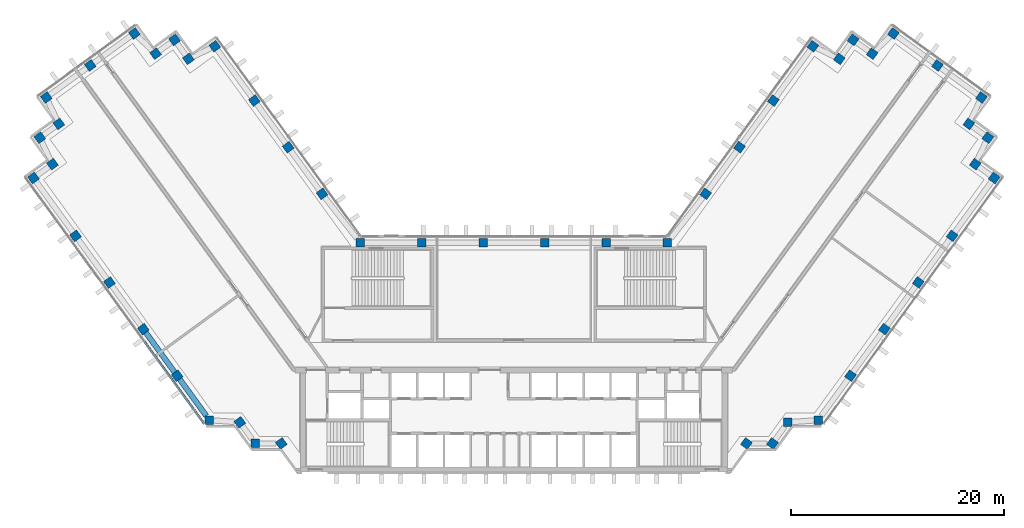
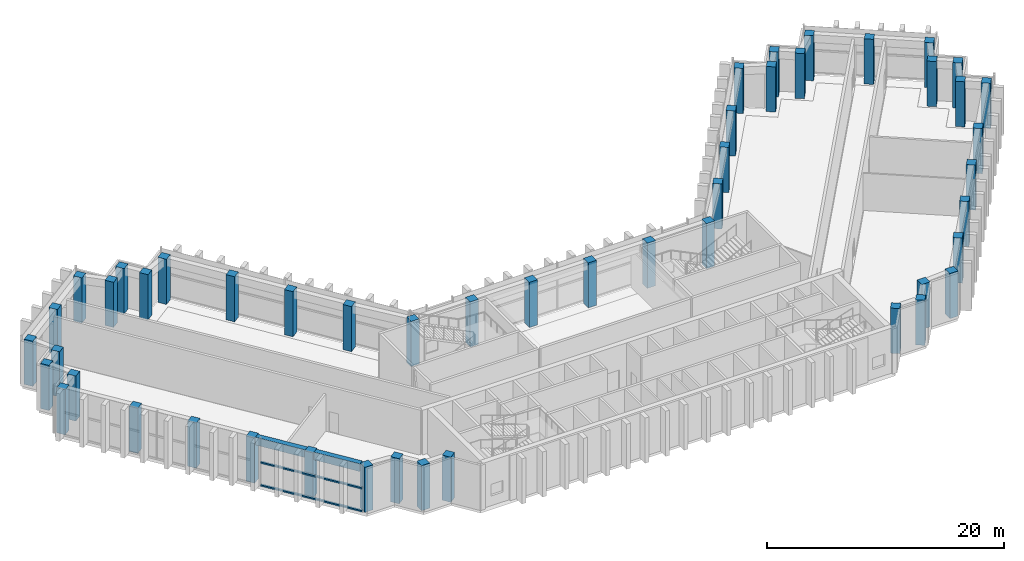
# One storey, part 1 of 14: 50 columns, 2 beams, 2 members, 1 element without a shape of its own.
"""IFC4 building model written with IfcOpenShell, lengths in metres."""

from ifc_helpers import new_model, si_unit, direction, frame, origin, origin_2d, place, context, subcontext, project, spatial, rectangle, extrude, material, material_profile, profile_set, type_object, element, aggregate, save


model = new_model("IFC4")

# Units and contexts
model_context = context("Model", 3, precision=1e-05, world=origin(), true_north=direction((0.0, 1.0)))
body_context = subcontext(model_context, "Body", "Model", "MODEL_VIEW")
ifc_project = project(units=[si_unit("LENGTHUNIT", "METRE"), si_unit("AREAUNIT", "SQUARE_METRE"), si_unit("VOLUMEUNIT", "CUBIC_METRE"), si_unit("PLANEANGLEUNIT", "RADIAN"), si_unit("MASSUNIT", "GRAM", prefix="KILO")], contexts=[model_context])

# Site, building, storey
site_placement = place(None, origin())
site = spatial("IfcSite", under=ifc_project, at=site_placement, CompositionType="ELEMENT")
building_placement = place(site_placement, origin())
building = spatial("IfcBuilding", under=site, at=building_placement, Name="Quipu Civic Tower", CompositionType="ELEMENT")
storey_placement = place(building_placement, frame((0.0, 0.0, 139.0)))
storey = spatial("IfcBuildingStorey", under=building, at=storey_placement, Name="L32", CompositionType="ELEMENT", Elevation=139.0)

# Columns
ifc_material_1 = material(Name="Concrete C60/75", Category="concrete")
ifc_material_profile_1 = material_profile(ifc_material_1, rectangle(XDim=0.800048828125, YDim=0.800048828125, at=origin_2d()), Name="RC800x800")
ifc_profile_set_1 = profile_set([ifc_material_profile_1], Name="Concrete C60/75")
column_type = type_object("IfcColumnType", Name="Perimeter column RC 800x800 C60/75", PredefinedType="COLUMN", material=ifc_profile_set_1)
for number, where, z_axis, x_axis, name in (
    (1, (-17.9736328125, 15.074951171875, 0.0), (0.0, 0.0, 1.0), (-0.587785252292, 0.809016994375, 0.0), "Column L32 W-IN-01"),
    (2, (-21.1474609375, 19.44384765625, 0.0), (0.0, 0.0, 1.0), (-0.587785252292, 0.809016994375, 0.0), "Column L32 W-IN-02"),
    (3, (-24.3212890625, 23.8125, 0.0), (0.0, 0.0, 1.0), (-0.587785252292, 0.809016994375, 0.0), "Column L32 W-IN-03"),
    (4, (-28.02001953125, 28.905029296875, 0.0), (0.0, 0.0, 1.0), (-0.809016994375, -0.587785252292, 0.0), "Column L32 T-Wi.0-W34"),
    (5, (-30.498779296875, 27.72265625, 0.0), (0.0, 0.0, 1.0), (-0.809016994375, -0.587785252292, 0.0), "Column L32 T-Wi.1-W34"),
    (6, (-31.794921875, 29.5, 0.0), (0.0, 0.0, 1.0), (-0.587785252292, 0.809016994375, 0.0), "Column L32 T-Wi.2-W34"),
    (7, (-33.573974609375, 28.20947265625, 0.0), (0.0, 0.0, 1.0), (-0.587785252292, 0.809016994375, 0.0), "Column L32 T-Wi.3-W34"),
    (8, (-35.56494140625, 30.10009765625, 0.0), (0.0, 0.0, 1.0), (-0.809016994375, -0.587785252292, 0.0), "Column L32 T-Wi.4-W34"),
    (9, (-39.690673828125, 27.10205078125, 0.0), (0.0, 0.0, 1.0), (-0.809016994375, -0.587785252292, 0.0), "Column L32 TIP-W-01-W34"),
    (10, (-43.81494140625, 24.10498046875, 0.0), (0.0, 0.0, 1.0), (-0.809016994375, -0.587785252292, 0.0), "Column L32 T-Wo.0-W34"),
    (11, (-42.635009765625, 21.626220703125, 0.0), (0.0, 0.0, 1.0), (-0.809016994375, -0.587785252292, 0.0), "Column L32 T-Wo.1-W34"),
    (12, (-44.4150390625, 20.3349609375, 0.0), (0.0, 0.0, 1.0), (0.587785252292, -0.809016994375, 0.0), "Column L32 T-Wo.2-W34"),
    (13, (-43.23095703125, 17.8544921875, 0.0), (0.0, 0.0, 1.0), (0.587785252292, -0.809016994375, 0.0), "Column L32 T-Wo.3-W34"),
    (14, (-45.010009765625, 16.56005859375, 0.0), (0.0, 0.0, 1.0), (0.587785252292, -0.809016994375, 0.0), "Column L32 T-Wo.4-W34"),
    (15, (-41.0703125, 11.137451171875, 0.0), (0.0, 0.0, 1.0), (0.587785252292, -0.809016994375, 0.0), "Column L32 W-OUT-04"),
    (16, (-37.896240234375, 6.768798828125, 0.0), (0.0, 0.0, 1.0), (0.587785252292, -0.809016994375, 0.0), "Column L32 W-OUT-03"),
    (17, (-34.722412109375, 2.39990234375, 0.0), (0.0, 0.0, 1.0), (0.587785252292, -0.809016994375, 0.0), "Column L32 W-OUT-02"),
    (18, (-31.54833984375, -1.96875, 0.0), (0.0, 0.0, 1.0), (0.587785252292, -0.809016994375, 0.0), "Column L32 W-OUT-01"),
    (19, (-28.52490234375, -6.1298828125, 0.0), (0.0, 0.0, 1.0), (1.0, 0.0, 0.0), "Column L32 J-Wo.0"),
    (20, (-25.67431640625, -6.3369140625, 0.0), (0.0, 0.0, 1.0), (0.587785252292, -0.809016994375, 0.0), "Column L32 J-Wo.1"),
    (21, (-24.235107421875, -8.31494140625, 0.0), (0.0, 0.0, 1.0), (1.0, 0.0, 0.0), "Column L32 J-Wo.2"),
    (22, (-21.791748046875, -8.31494140625, 0.0), (0.0, 0.0, 1.0), (0.587785252292, -0.809016994375, 0.0), "Column L32 J-Wo.3"),
    (23, (21.791748046875, -8.31494140625, 0.0), (0.0, 0.0, 1.0), (0.587785252292, 0.809016994375, 0.0), "Column L32 J-Eo.1"),
    (24, (24.235107421875, -8.31494140625, 0.0), (0.0, 0.0, 1.0), (0.587785252292, 0.809016994375, 0.0), "Column L32 J-Eo.2"),
    (25, (25.67431640625, -6.3369140625, 0.0), (0.0, 0.0, 1.0), (1.0, 0.0, 0.0), "Column L32 J-Eo.3"),
    (26, (28.52490234375, -6.1298828125, 0.0), (0.0, 0.0, 1.0), (1.0, 0.0, 0.0), "Column L32 J-Eo.4"),
    (27, (31.54833984375, -1.96875, 0.0), (0.0, 0.0, 1.0), (0.587785252292, 0.809016994375, 0.0), "Column L32 E-OUT-01"),
    (28, (34.722412109375, 2.39990234375, 0.0), (0.0, 0.0, 1.0), (0.587785252292, 0.809016994375, 0.0), "Column L32 E-OUT-02"),
    (29, (37.896240234375, 6.768798828125, 0.0), (0.0, 0.0, 1.0), (0.587785252292, 0.809016994375, 0.0), "Column L32 E-OUT-03"),
    (30, (41.0703125, 11.137451171875, 0.0), (0.0, 0.0, 1.0), (0.587785252292, 0.809016994375, 0.0), "Column L32 E-OUT-04"),
    (31, (45.010009765625, 16.56005859375, 0.0), (0.0, 0.0, 1.0), (0.587785252292, 0.809016994375, 0.0), "Column L32 T-Eo.0-E34"),
    (32, (43.23095703125, 17.8544921875, 0.0), (0.0, 0.0, 1.0), (0.587785252292, 0.809016994375, 0.0), "Column L32 T-Eo.1-E34"),
    (33, (44.4150390625, 20.3349609375, 0.0), (0.0, 0.0, 1.0), (0.587785252292, 0.809016994375, 0.0), "Column L32 T-Eo.2-E34"),
    (34, (42.635009765625, 21.626220703125, 0.0), (0.0, 0.0, 1.0), (-0.809016994375, 0.587785252292, 0.0), "Column L32 T-Eo.3-E34"),
    (35, (43.81494140625, 24.10498046875, 0.0), (0.0, 0.0, 1.0), (-0.809016994375, 0.587785252292, 0.0), "Column L32 T-Eo.4-E34"),
    (36, (39.690673828125, 27.10205078125, 0.0), (0.0, 0.0, 1.0), (-0.809016994375, 0.587785252292, 0.0), "Column L32 TIP-E-01-E34"),
    (37, (35.56494140625, 30.10009765625, 0.0), (0.0, 0.0, 1.0), (-0.587785252292, -0.809016994375, 0.0), "Column L32 T-Ei.0-E34"),
    (38, (33.573974609375, 28.20947265625, 0.0), (0.0, 0.0, 1.0), (-0.809016994375, 0.587785252292, 0.0), "Column L32 T-Ei.1-E34"),
    (39, (31.794921875, 29.5, 0.0), (0.0, 0.0, 1.0), (-0.587785252292, -0.809016994375, 0.0), "Column L32 T-Ei.2-E34"),
    (40, (30.498779296875, 27.72265625, 0.0), (0.0, 0.0, 1.0), (-0.809016994375, 0.587785252292, 0.0), "Column L32 T-Ei.3-E34"),
    (41, (28.02001953125, 28.905029296875, 0.0), (0.0, 0.0, 1.0), (-0.809016994375, 0.587785252292, 0.0), "Column L32 T-Ei.4-E34"),
    (42, (24.3212890625, 23.8125, 0.0), (0.0, 0.0, 1.0), (-0.587785252292, -0.809016994375, 0.0), "Column L32 E-IN-03"),
    (43, (21.1474609375, 19.44384765625, 0.0), (0.0, 0.0, 1.0), (-0.587785252292, -0.809016994375, 0.0), "Column L32 E-IN-02"),
    (44, (17.9736328125, 15.074951171875, 0.0), (0.0, 0.0, 1.0), (-0.587785252292, -0.809016994375, 0.0), "Column L32 E-IN-01"),
    (45, (14.395263671875, 10.5, 0.0), (0.0, 0.0, 1.0), (-1.0, 0.0, 0.0), "Column L32 J-Ei.0"),
    (46, (8.63720703125, 10.5, 0.0), (0.0, 0.0, 1.0), (-1.0, 0.0, 0.0), "Column L32 FRONT-01"),
    (47, (2.87890625, 10.5, 0.0), (0.0, 0.0, 1.0), (-1.0, 0.0, 0.0), "Column L32 FRONT-02"),
    (48, (-2.87890625, 10.5, 0.0), (0.0, 0.0, 1.0), (-1.0, 0.0, 0.0), "Column L32 FRONT-03"),
    (49, (-8.63720703125, 10.5, 0.0), (0.0, 0.0, 1.0), (-1.0, 0.0, 0.0), "Column L32 FRONT-04"),
    (50, (-14.395263671875, 10.5, 0.0), (0.0, 0.0, 1.0), (-1.0, 0.0, 0.0), "Column L32 J-Wi.0"),
):
    element("IfcColumn", number, at=place(storey_placement, frame(where, z_axis=z_axis, x_axis=x_axis)), inside=storey, type_object=column_type, Name=name, PredefinedType="COLUMN", context=body_context, shape_type="SweptSolid", body=[
        extrude(rectangle(XDim=0.800048828125, YDim=0.800048828125, at=origin_2d()), origin(), (0.0, 0.0, 1.0), 4.64990234375),
    ])

# Beams
ifc_material_2 = material(Name="Concrete C50/60", Category="concrete")
ifc_material_profile_2 = material_profile(ifc_material_2, rectangle(XDim=0.5, YDim=0.800048828125, at=origin_2d()), Name="RC500x800")
ifc_profile_set_2 = profile_set([ifc_material_profile_2], Name="Concrete C50/60")
beam_type = type_object("IfcBeamType", Name="Spandrel beam RC 500x800 C50/60", PredefinedType="SPANDREL", material=ifc_profile_set_2)
beam_1_placement = place(storey_placement, frame((-34.4873046875, 2.076416015625, 4.25), z_axis=(0.587796098864, -0.809009113768, 0.0), x_axis=(0.809009113768, 0.587796098864, 0.0)))
element("IfcBeam", 51, at=beam_1_placement, inside=storey, type_object=beam_type, Name="Spandrel beam L32 W-OUT-02 to W-OUT-01", PredefinedType="SPANDREL", context=body_context, shape_type="SweptSolid", body=[
    extrude(rectangle(XDim=0.5, YDim=0.800048828125, at=origin_2d()), origin(), (0.0, 0.0, 1.0), 4.60009765625),
])
beam_2_placement = place(storey_placement, frame((-31.313232421875, -2.292236328125, 4.25), z_axis=(0.58776850526, -0.809029161541, 0.0), x_axis=(0.809029161541, 0.58776850526, 0.0)))
element("IfcBeam", 52, at=beam_2_placement, inside=storey, type_object=beam_type, Name="Spandrel beam L32 W-OUT-01 to J-Wo.0", PredefinedType="SPANDREL", context=body_context, shape_type="SweptSolid", body=[
    extrude(rectangle(XDim=0.5, YDim=0.800048828125, at=origin_2d()), origin(), (0.0, 0.0, 1.0), 4.249267578125),
])

# Curtain wall, members
ifc_material_3 = material(Name="Insulated glass unit", Category="glass")
curtain_wall_type = type_object("IfcCurtainWallType", Name="Sky lobby and refuge curtain wall CW5", PredefinedType="NOTDEFINED", material=ifc_material_3)
curtain_wall_placement = place(storey_placement, origin())
curtain_wall = element("IfcCurtainWall", 53, at=curtain_wall_placement, inside=storey, type_object=curtain_wall_type, Name="Sky lobby and refuge curtain wall CW5 L32 run 11", PredefinedType="NOTDEFINED")
ifc_material_4 = material(Name="Anodised aluminium", Category="aluminium")
ifc_material_profile_3 = material_profile(ifc_material_4, rectangle(XDim=0.199951171875, YDim=0.14990234375, at=origin_2d()), Name="RECT 200x150")
ifc_profile_set_3 = profile_set([ifc_material_profile_3], Name="Anodised aluminium")
member_type = type_object("IfcMemberType", Name="Transom CW5", PredefinedType="USERDEFINED", material=ifc_profile_set_3)
member_1_placement = place(storey_placement, frame((-34.588134765625, 1.1943359375, 0.14990234375), z_axis=(0.587788114206, -0.809014915066, 0.0), x_axis=(0.809014915066, 0.587788114206, 0.0)))
member_1 = element("IfcMember", 54, at=member_1_placement, type_object=member_type, Name="CW5 transom 3.1", ObjectType="TRANSOM", PredefinedType="USERDEFINED", context=body_context, shape_type="SweptSolid", body=[
    extrude(rectangle(XDim=0.199951171875, YDim=0.14990234375, at=origin_2d()), origin(), (0.0, 0.0, 1.0), 9.386962890625),
])
member_2_placement = place(storey_placement, frame((-34.588134765625, 1.1943359375, 2.5), z_axis=(0.587788114206, -0.809014915066, 0.0), x_axis=(0.809014915066, 0.587788114206, 0.0)))
member_2 = element("IfcMember", 55, at=member_2_placement, type_object=member_type, Name="CW5 transom 3.2", ObjectType="TRANSOM", PredefinedType="USERDEFINED", context=body_context, shape_type="SweptSolid", body=[
    extrude(rectangle(XDim=0.199951171875, YDim=0.14990234375, at=origin_2d()), origin(), (0.0, 0.0, 1.0), 9.386962890625),
])
aggregate(curtain_wall, [member_1, member_2])

save(model, "model.ifc")
